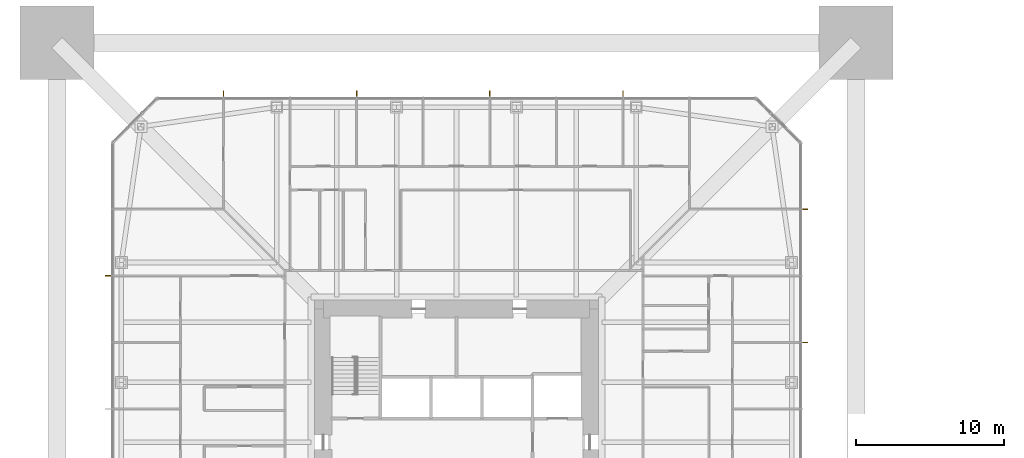
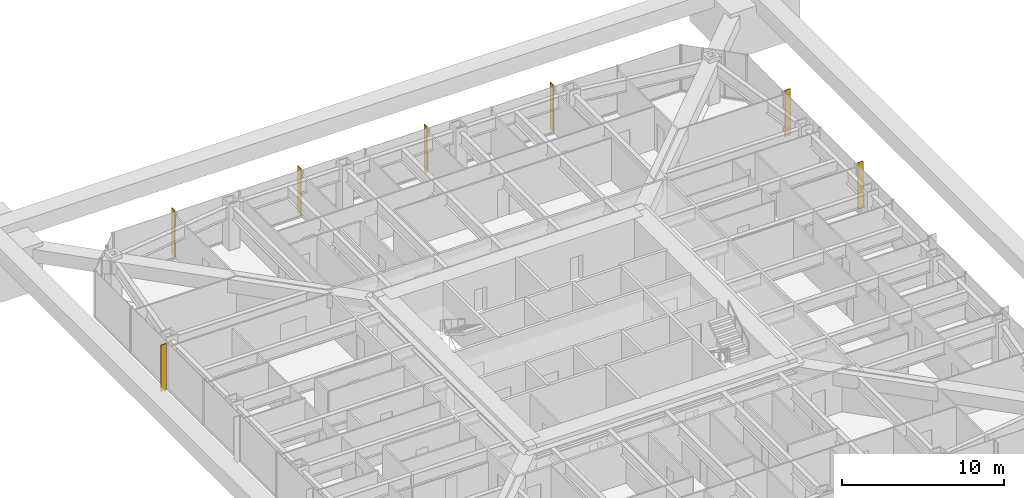
# One storey, part 31 of 32: 7 shading devices.
"""IFC4 building model written with IfcOpenShell, lengths in metres."""

from ifc_helpers import new_model, si_unit, direction, frame, origin, origin_2d, place, context, subcontext, project, spatial, rectangle, extrude, material, layer, layer_set, type_object, element, save


model = new_model("IFC4")

# Units and contexts
model_context = context("Model", 3, precision=1e-05, world=origin(), true_north=direction((0.0, 1.0)))
body_context = subcontext(model_context, "Body", "Model", "MODEL_VIEW")
ifc_project = project(units=[si_unit("LENGTHUNIT", "METRE"), si_unit("AREAUNIT", "SQUARE_METRE"), si_unit("VOLUMEUNIT", "CUBIC_METRE"), si_unit("PLANEANGLEUNIT", "RADIAN"), si_unit("MASSUNIT", "GRAM", prefix="KILO")], contexts=[model_context])

# Site, building, storey
site_placement = place(None, origin())
site = spatial("IfcSite", under=ifc_project, at=site_placement, CompositionType="ELEMENT")
building_placement = place(site_placement, origin())
building = spatial("IfcBuilding", under=site, at=building_placement, Name="Iwan Alto Co-Living Towers", CompositionType="ELEMENT")
storey_placement = place(building_placement, frame((0.0, 0.0, 71.0)))
storey = spatial("IfcBuildingStorey", under=building, at=storey_placement, Name="L19", CompositionType="ELEMENT", Elevation=71.0)

# Shading devices
ifc_material = material(Name="Aluminium 6063-T6 bronze anodised", Category="aluminium")
ifc_layer = layer(ifc_material, 0.050048828125)
ifc_layer_set = layer_set([ifc_layer], Name="BRONZE FIN 50X400")
shading_device_type = type_object("IfcShadingDeviceType", Name="BRONZE FIN 50X400", PredefinedType="USERDEFINED", material=ifc_layer_set)
for number, where, z_axis, x_axis, name in (
    (1, (23.550048828125, 6.75, 0.0), (0.0, 0.0, 1.0), (0.0, 1.0, 0.0), "Bronze fin L19"),
    (2, (23.550048828125, 15.75, 0.0), (0.0, 0.0, 1.0), (0.0, 1.0, 0.0), "Bronze fin L19"),
    (3, (11.25, 23.550048828125, 0.0), (0.0, 0.0, 1.0), (-1.0, 0.0, 0.0), "Bronze fin L19"),
    (4, (2.25, 23.550048828125, 0.0), (0.0, 0.0, 1.0), (-1.0, 0.0, 0.0), "Bronze fin L19"),
    (5, (-6.75, 23.550048828125, 0.0), (0.0, 0.0, 1.0), (-1.0, 0.0, 0.0), "Bronze fin L19"),
    (6, (-15.75, 23.550048828125, 0.0), (0.0, 0.0, 1.0), (-1.0, 0.0, 0.0), "Bronze fin L19"),
    (7, (-23.550048828125, 11.25, 0.0), (0.0, 0.0, 1.0), (0.0, -1.0, 0.0), "Bronze fin L19"),
):
    element("IfcShadingDevice", number, at=place(storey_placement, frame(where, z_axis=z_axis, x_axis=x_axis)), inside=storey, type_object=shading_device_type, Name=name, ObjectType="LOUVER", PredefinedType="USERDEFINED", context=body_context, shape_type="SweptSolid", body=[
        extrude(rectangle(XDim=0.050048828125, YDim=0.39990234375, at=origin_2d()), origin(), (0.0, 0.0, 1.0), 3.5),
    ])

save(model, "model.ifc")
